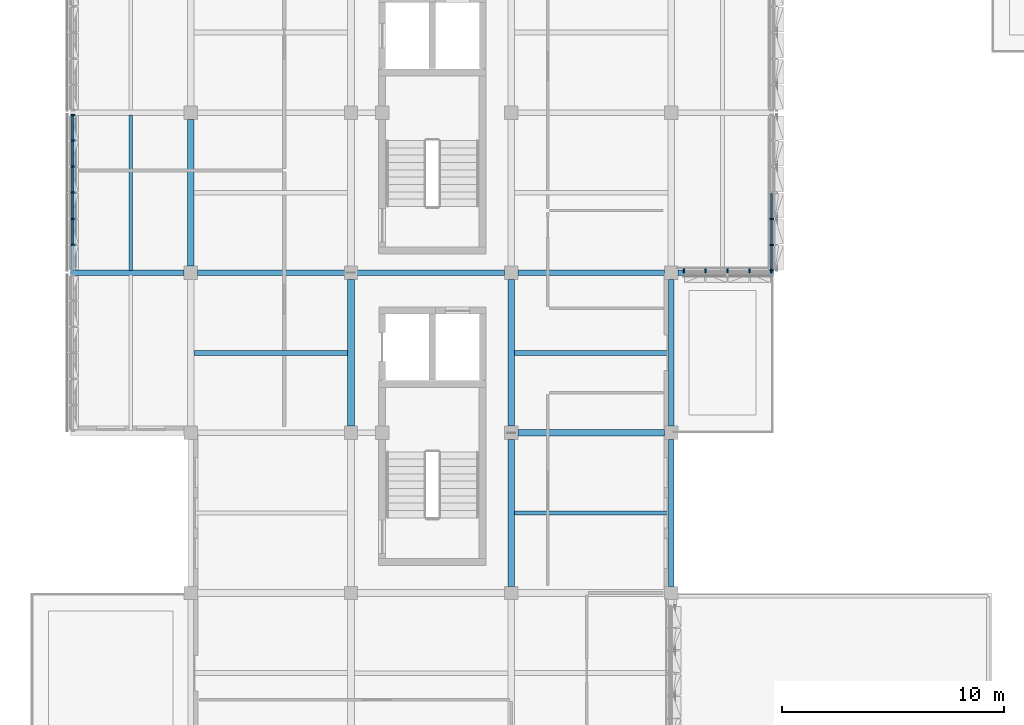
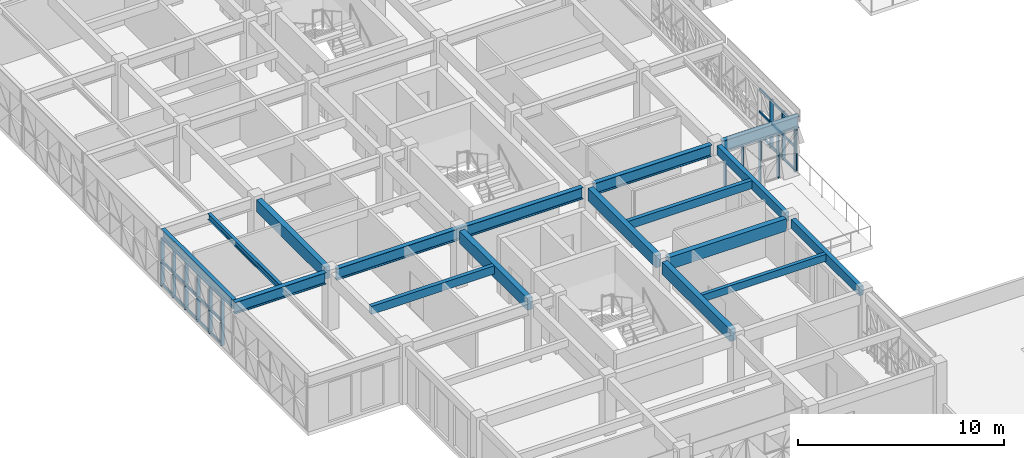
# One storey, part 3 of 74: 38 members, 16 beams, 3 elements without a shape of their own.
"""IFC4 building model written with IfcOpenShell, lengths in metres."""

from ifc_helpers import new_model, si_unit, direction, frame, origin, origin_2d, place, context, subcontext, project, spatial, rectangle, i_section, extrude, material, material_profile, profile_set, type_object, element, aggregate, save


model = new_model("IFC4")

# Units and contexts
model_context = context("Model", 3, precision=1e-05, world=origin(), true_north=direction((0.0, 1.0)))
body_context = subcontext(model_context, "Body", "Model", "MODEL_VIEW")
ifc_project = project(units=[si_unit("LENGTHUNIT", "METRE"), si_unit("AREAUNIT", "SQUARE_METRE"), si_unit("VOLUMEUNIT", "CUBIC_METRE"), si_unit("PLANEANGLEUNIT", "RADIAN"), si_unit("MASSUNIT", "GRAM", prefix="KILO")], contexts=[model_context])

# Site, building, storey
site_placement = place(None, origin())
site = spatial("IfcSite", under=ifc_project, at=site_placement, CompositionType="ELEMENT")
building_placement = place(site_placement, origin())
building = spatial("IfcBuilding", under=site, at=building_placement, Name="Alvorim Cloister Faculty of Sciences", CompositionType="ELEMENT")
storey_placement = place(building_placement, frame((0.0, 0.0, 15.75)))
storey = spatial("IfcBuildingStorey", under=building, at=storey_placement, Name="L04", CompositionType="ELEMENT", Elevation=15.75)

# Beams
ifc_material_1 = material(Name="Glulam GL32h", Category="wood")
ifc_material_profile_1 = material_profile(ifc_material_1, rectangle(XDim=0.300048828125, YDim=0.719970703125, at=origin_2d()), Name="GL32-BM-300x720")
ifc_profile_set_1 = profile_set([ifc_material_profile_1], Name="Glulam GL32h")
beam_type_1 = type_object("IfcBeamType", Name="BM-GL-300x720", PredefinedType="BEAM", material=ifc_profile_set_1)
beam_1_placement = place(storey_placement, frame((21.89990234375, 21.60009765625, 3.030029296875), z_axis=(1.0, 0.0, 0.0), x_axis=(0.0, 1.0, 0.0)))
element("IfcBeam", 1, at=beam_1_placement, inside=storey, type_object=beam_type_1, Name="L04 Primary Beam BM-1744", PredefinedType="BEAM", context=body_context, shape_type="SweptSolid", body=[
    extrude(rectangle(XDim=0.300048828125, YDim=0.719970703125, at=origin_2d()), origin(), (0.0, 0.0, 1.0), 6.60009765625),
])
beam_2_placement = place(storey_placement, frame((7.199951171875, 29.10009765625, 3.030029296875), z_axis=(0.0, 1.0, 0.0), x_axis=(-1.0, 0.0, 0.0)))
element("IfcBeam", 2, at=beam_2_placement, inside=storey, type_object=beam_type_1, Name="L04 Primary Girder BM-1806", PredefinedType="BEAM", context=body_context, shape_type="SweptSolid", body=[
    extrude(rectangle(XDim=0.300048828125, YDim=0.719970703125, at=origin_2d()), origin(), (0.0, 0.0, 1.0), 6.599853515625),
])
for number, where, z_axis, x_axis, name in (
    (3, (14.39990234375, 21.89990234375, 3.030029296875), (0.0, 1.0, 0.0), (-1.0, 0.0, 0.0), "L04 Primary Girder BM-1820"),
    (4, (21.60009765625, 14.699951171875, 3.030029296875), (0.0, 1.0, 0.0), (-1.0, 0.0, 0.0), "L04 Primary Girder BM-1834"),
    (5, (21.60009765625, 21.89990234375, 3.030029296875), (0.0, 1.0, 0.0), (-1.0, 0.0, 0.0), "L04 Primary Girder BM-1835"),
):
    element("IfcBeam", number, at=place(storey_placement, frame(where, z_axis=z_axis, x_axis=x_axis)), inside=storey, type_object=beam_type_1, Name=name, PredefinedType="BEAM", context=body_context, shape_type="SweptSolid", body=[
        extrude(rectangle(XDim=0.300048828125, YDim=0.719970703125, at=origin_2d()), origin(), (0.0, 0.0, 1.0), 6.60009765625),
    ])
ifc_material_2 = material(Name="Glulam GL28h", Category="wood")
ifc_material_profile_2 = material_profile(ifc_material_2, rectangle(XDim=0.199951171875, YDim=0.419921875, at=origin_2d()), Name="GL28-JST-200x420")
ifc_profile_set_2 = profile_set([ifc_material_profile_2], Name="Glulam GL28h")
beam_type_2 = type_object("IfcBeamType", Name="BM-JST-GL-200x420", PredefinedType="JOIST", material=ifc_profile_set_2)
beam_3_placement = place(storey_placement, frame((21.75, 18.0, 3.179931640625), z_axis=(1.0, 0.0, 0.0), x_axis=(0.0, 1.0, 0.0)))
element("IfcBeam", 6, at=beam_3_placement, inside=storey, type_object=beam_type_2, Name="L04 Secondary Floor Joist BM-1924", PredefinedType="JOIST", context=body_context, shape_type="SweptSolid", body=[
    extrude(rectangle(XDim=0.199951171875, YDim=0.419921875, at=origin_2d()), origin(), (0.0, 0.0, 1.0), 6.929931640625),
])
ifc_material_profile_3 = material_profile(ifc_material_2, rectangle(XDim=0.219970703125, YDim=0.47998046875, at=origin_2d()), Name="GL28-JST-220x480")
ifc_profile_set_3 = profile_set([ifc_material_profile_3], Name="Glulam GL28h")
beam_type_3 = type_object("IfcBeamType", Name="BM-JST-GL-220x480", PredefinedType="JOIST", material=ifc_profile_set_3)
beam_4_placement = place(storey_placement, frame((7.35009765625, 25.199951171875, 3.14990234375), z_axis=(1.0, 0.0, 0.0), x_axis=(0.0, 1.0, 0.0)))
element("IfcBeam", 7, at=beam_4_placement, inside=storey, type_object=beam_type_3, Name="L04 Secondary Floor Joist BM-1901", PredefinedType="JOIST", context=body_context, shape_type="SweptSolid", body=[
    extrude(rectangle(XDim=0.219970703125, YDim=0.47998046875, at=origin_2d()), origin(), (0.0, 0.0, 1.0), 6.89990234375),
])
beam_5_placement = place(storey_placement, frame((21.75, 25.199951171875, 3.14990234375), z_axis=(1.0, 0.0, 0.0), x_axis=(0.0, 1.0, 0.0)))
element("IfcBeam", 8, at=beam_5_placement, inside=storey, type_object=beam_type_3, Name="L04 Secondary Floor Joist BM-1925", PredefinedType="JOIST", context=body_context, shape_type="SweptSolid", body=[
    extrude(rectangle(XDim=0.219970703125, YDim=0.47998046875, at=origin_2d()), origin(), (0.0, 0.0, 1.0), 6.929931640625),
])
ifc_material_profile_4 = material_profile(ifc_material_2, rectangle(XDim=0.239990234375, YDim=0.5400390625, at=origin_2d()), Name="GL28-SPD-240x540")
ifc_profile_set_4 = profile_set([ifc_material_profile_4], Name="Glulam GL28h")
beam_type_4 = type_object("IfcBeamType", Name="BM-SPD-GL-240x540", PredefinedType="SPANDREL", material=ifc_profile_set_4)
for number, where, z_axis, x_axis, name in (
    (9, (28.800048828125, 14.699951171875, 3.1201171875), (0.0, 1.0, 0.0), (-1.0, 0.0, 0.0), "L04 Primary Girder BM-1849"),
    (10, (28.800048828125, 21.89990234375, 3.1201171875), (0.0, 1.0, 0.0), (-1.0, 0.0, 0.0), "L04 Primary Girder BM-1850"),
):
    element("IfcBeam", number, at=place(storey_placement, frame(where, z_axis=z_axis, x_axis=x_axis)), inside=storey, type_object=beam_type_4, Name=name, PredefinedType="SPANDREL", context=body_context, shape_type="SweptSolid", body=[
        extrude(rectangle(XDim=0.239990234375, YDim=0.5400390625, at=origin_2d()), origin(), (0.0, 0.0, 1.0), 6.60009765625),
    ])
ifc_material_3 = material(Name="Steel ASTM A572 Grade 50", Category="steel")
ifc_material_profile_5 = material_profile(ifc_material_3, i_section(OverallWidth=0.1708984375, OverallDepth=0.35498046875, WebThickness=0.007080078125, FlangeThickness=0.01171875, FilletRadius=0.012939453125, at=origin_2d()), Name="W360x51.0")
ifc_profile_set_5 = profile_set([ifc_material_profile_5], Name="Steel ASTM A572 Grade 50")
beam_type_5 = type_object("IfcBeamType", Name="BM-STL-W360", PredefinedType="JOIST", material=ifc_profile_set_5)
beam_6_placement = place(storey_placement, frame((4.5, 28.909912109375, 3.21240234375), z_axis=(0.0, 1.0, 0.0), x_axis=(-1.0, 0.0, 0.0)))
element("IfcBeam", 11, at=beam_6_placement, inside=storey, type_object=beam_type_5, Name="L04 Cantilever Deck Joist BM-0098", PredefinedType="JOIST", context=body_context, shape_type="SweptSolid", body=[
    extrude(i_section(OverallWidth=0.1708984375, OverallDepth=0.35498046875, WebThickness=0.007080078125, FlangeThickness=0.01171875, FilletRadius=0.012939453125, at=origin_2d()), origin(), (0.0, 0.0, 1.0), 6.97998046875),
])
ifc_material_profile_6 = material_profile(ifc_material_3, i_section(OverallWidth=0.208984375, OverallDepth=0.532958984375, WebThickness=0.01025390625, FlangeThickness=0.015625, FilletRadius=0.01611328125, at=origin_2d()), Name="W530x92.0")
ifc_profile_set_6 = profile_set([ifc_material_profile_6], Name="Steel ASTM A572 Grade 50")
beam_type_6 = type_object("IfcBeamType", Name="BM-STL-W530", PredefinedType="BEAM", material=ifc_profile_set_6)
beam_7_placement = place(storey_placement, frame((1.919921875, 28.909912109375, 3.12353515625), z_axis=(0.0, 1.0, 0.0), x_axis=(-1.0, 0.0, 0.0)))
element("IfcBeam", 12, at=beam_7_placement, inside=storey, type_object=beam_type_6, Name="L04 Cantilever Tip Header Girder BM-0097", PredefinedType="BEAM", context=body_context, shape_type="SweptSolid", body=[
    extrude(i_section(OverallWidth=0.208984375, OverallDepth=0.532958984375, WebThickness=0.01025390625, FlangeThickness=0.015625, FilletRadius=0.01611328125, at=origin_2d()), origin(), (0.0, 0.0, 1.0), 6.97998046875),
])
ifc_material_profile_7 = material_profile(ifc_material_3, i_section(OverallWidth=0.25390625, OverallDepth=0.68408203125, WebThickness=0.012451171875, FlangeThickness=0.01904296875, FilletRadius=0.01904296875, at=origin_2d()), Name="W690x140.0")
ifc_profile_set_7 = profile_set([ifc_material_profile_7], Name="Steel ASTM A572 Grade 50")
beam_type_7 = type_object("IfcBeamType", Name="BM-STL-W690", PredefinedType="BEAM", material=ifc_profile_set_7)
beam_8_placement = place(storey_placement, frame((7.5, 28.800048828125, 3.048095703125), z_axis=(1.0, 0.0, 0.0), x_axis=(0.0, 1.0, 0.0)))
element("IfcBeam", 13, at=beam_8_placement, inside=storey, type_object=beam_type_7, Name="L04 Cantilever Backspan Girder BM-0085", PredefinedType="BEAM", context=body_context, shape_type="SweptSolid", body=[
    extrude(i_section(OverallWidth=0.25390625, OverallDepth=0.68408203125, WebThickness=0.012451171875, FlangeThickness=0.01904296875, FilletRadius=0.01904296875, at=origin_2d()), origin(), (0.0, 0.0, 1.0), 13.800048828125),
])
beam_9_placement = place(storey_placement, frame((1.800048828125, 28.800048828125, 3.048095703125), z_axis=(1.0, 0.0, 0.0), x_axis=(0.0, 1.0, 0.0)))
element("IfcBeam", 14, at=beam_9_placement, inside=storey, type_object=beam_type_7, Name="L04 Cantilever Overhang Girder BM-0086", PredefinedType="BEAM", context=body_context, shape_type="SweptSolid", body=[
    extrude(i_section(OverallWidth=0.25390625, OverallDepth=0.68408203125, WebThickness=0.012451171875, FlangeThickness=0.01904296875, FilletRadius=0.01904296875, at=origin_2d()), origin(), (0.0, 0.0, 1.0), 5.099853515625),
])
beam_10_placement = place(storey_placement, frame((21.89990234375, 28.800048828125, 3.048095703125), z_axis=(1.0, 0.0, 0.0), x_axis=(0.0, 1.0, 0.0)))
element("IfcBeam", 15, at=beam_10_placement, inside=storey, type_object=beam_type_7, Name="L04 Cantilever Backspan Girder BM-0131", PredefinedType="BEAM", context=body_context, shape_type="SweptSolid", body=[
    extrude(i_section(OverallWidth=0.25390625, OverallDepth=0.68408203125, WebThickness=0.012451171875, FlangeThickness=0.01904296875, FilletRadius=0.01904296875, at=origin_2d()), origin(), (0.0, 0.0, 1.0), 6.60009765625),
])
beam_11_placement = place(storey_placement, frame((29.10009765625, 28.800048828125, 3.048095703125), z_axis=(1.0, 0.0, 0.0), x_axis=(0.0, 1.0, 0.0)))
element("IfcBeam", 16, at=beam_11_placement, inside=storey, type_object=beam_type_7, Name="L04 Cantilever Overhang Girder BM-0132", PredefinedType="BEAM", context=body_context, shape_type="SweptSolid", body=[
    extrude(i_section(OverallWidth=0.25390625, OverallDepth=0.68408203125, WebThickness=0.012451171875, FlangeThickness=0.01904296875, FilletRadius=0.01904296875, at=origin_2d()), origin(), (0.0, 0.0, 1.0), 4.2998046875),
])

# Curtain wall, members
ifc_material_4 = material(Name="Aluminium and Low-E Glass Curtain Wall", Category="aluminium")
curtain_wall_type_1 = type_object("IfcCurtainWallType", Name="CW-TRI-7040x2857", PredefinedType="USERDEFINED", material=ifc_material_4)
curtain_wall_1_placement = place(storey_placement, origin())
curtain_wall_1 = element("IfcCurtainWall", 17, at=curtain_wall_1_placement, inside=storey, type_object=curtain_wall_type_1, Name="L04 Diagonal Cassette Curtain Wall CW-0166", ObjectType="UNITISED CURTAIN WALL", PredefinedType="USERDEFINED")
ifc_material_5 = material(Name="Aluminium Alloy 6063-T6", Category="aluminium")
ifc_material_profile_8 = material_profile(ifc_material_5, rectangle(XDim=0.06494140625, YDim=0.179931640625, at=origin_2d()), Name="ALU-MUL-65x180")
ifc_profile_set_8 = profile_set([ifc_material_profile_8], Name="Aluminium Alloy 6063-T6")
member_type_1 = type_object("IfcMemberType", Name="CW-MUL-65x180", PredefinedType="MULLION", material=ifc_profile_set_8)
member_1_placement = place(storey_placement, frame((1.889892578125, 30.05322265625, 0.0), z_axis=(0.0, 0.0, 1.0), x_axis=(0.0, 1.0, 0.0)))
member_1 = element("IfcMember", 18, at=member_1_placement, type_object=member_type_1, Name="CW-0166 Mullion 2", PredefinedType="MULLION", context=body_context, shape_type="SweptSolid", body=[
    extrude(rectangle(XDim=0.06494140625, YDim=0.179931640625, at=origin_2d()), origin(), (0.0, 0.0, 1.0), 2.85693359375),
])
member_2_placement = place(storey_placement, frame((1.889892578125, 31.226806640625, 0.0), z_axis=(0.0, 0.0, 1.0), x_axis=(0.0, 1.0, 0.0)))
member_2 = element("IfcMember", 19, at=member_2_placement, type_object=member_type_1, Name="CW-0166 Mullion 3", PredefinedType="MULLION", context=body_context, shape_type="SweptSolid", body=[
    extrude(rectangle(XDim=0.06494140625, YDim=0.179931640625, at=origin_2d()), origin(), (0.0, 0.0, 1.0), 2.85693359375),
])
member_3_placement = place(storey_placement, frame((1.889892578125, 32.39990234375, 0.0), z_axis=(0.0, 0.0, 1.0), x_axis=(0.0, 1.0, 0.0)))
member_3 = element("IfcMember", 20, at=member_3_placement, type_object=member_type_1, Name="CW-0166 Mullion 4", PredefinedType="MULLION", context=body_context, shape_type="SweptSolid", body=[
    extrude(rectangle(XDim=0.06494140625, YDim=0.179931640625, at=origin_2d()), origin(), (0.0, 0.0, 1.0), 2.85693359375),
])
member_4_placement = place(storey_placement, frame((1.889892578125, 33.5732421875, 0.0), z_axis=(0.0, 0.0, 1.0), x_axis=(0.0, 1.0, 0.0)))
member_4 = element("IfcMember", 21, at=member_4_placement, type_object=member_type_1, Name="CW-0166 Mullion 5", PredefinedType="MULLION", context=body_context, shape_type="SweptSolid", body=[
    extrude(rectangle(XDim=0.06494140625, YDim=0.179931640625, at=origin_2d()), origin(), (0.0, 0.0, 1.0), 2.85693359375),
])
member_5_placement = place(storey_placement, frame((1.889892578125, 34.74658203125, 0.0), z_axis=(0.0, 0.0, 1.0), x_axis=(0.0, 1.0, 0.0)))
member_5 = element("IfcMember", 22, at=member_5_placement, type_object=member_type_1, Name="CW-0166 Mullion 6", PredefinedType="MULLION", context=body_context, shape_type="SweptSolid", body=[
    extrude(rectangle(XDim=0.06494140625, YDim=0.179931640625, at=origin_2d()), origin(), (0.0, 0.0, 1.0), 2.85693359375),
])
member_6_placement = place(storey_placement, frame((1.889892578125, 35.887451171875, 0.0), z_axis=(0.0, 0.0, 1.0), x_axis=(0.0, 1.0, 0.0)))
member_6 = element("IfcMember", 23, at=member_6_placement, type_object=member_type_1, Name="CW-0166 Mullion 7", PredefinedType="MULLION", context=body_context, shape_type="SweptSolid", body=[
    extrude(rectangle(XDim=0.06494140625, YDim=0.179931640625, at=origin_2d()), origin(), (0.0, 0.0, 1.0), 2.85693359375),
])

curtain_wall_2_placement = place(storey_placement, origin())
curtain_wall_2 = element("IfcCurtainWall", 24, at=curtain_wall_2_placement, inside=storey, type_object=curtain_wall_type_1, Name="L04 Diagonal Cassette Curtain Wall CW-0198", ObjectType="UNITISED CURTAIN WALL", PredefinedType="USERDEFINED")
member_7_placement = place(storey_placement, frame((33.31005859375, 28.91259765625, 0.0), z_axis=(0.0, 0.0, 1.0), x_axis=(0.0, 1.0, 0.0)))
member_7 = element("IfcMember", 25, at=member_7_placement, type_object=member_type_1, Name="CW-0198 Mullion 1", PredefinedType="MULLION", context=body_context, shape_type="SweptSolid", body=[
    extrude(rectangle(XDim=0.06494140625, YDim=0.179931640625, at=origin_2d()), origin(), (0.0, 0.0, 1.0), 2.85693359375),
])
member_8_placement = place(storey_placement, frame((33.31005859375, 30.05322265625, 0.0), z_axis=(0.0, 0.0, 1.0), x_axis=(0.0, 1.0, 0.0)))
member_8 = element("IfcMember", 26, at=member_8_placement, type_object=member_type_1, Name="CW-0198 Mullion 2", PredefinedType="MULLION", context=body_context, shape_type="SweptSolid", body=[
    extrude(rectangle(XDim=0.06494140625, YDim=0.179931640625, at=origin_2d()), origin(), (0.0, 0.0, 1.0), 2.85693359375),
])
member_9_placement = place(storey_placement, frame((33.31005859375, 31.226806640625, 0.0), z_axis=(0.0, 0.0, 1.0), x_axis=(0.0, 1.0, 0.0)))
member_9 = element("IfcMember", 27, at=member_9_placement, type_object=member_type_1, Name="CW-0198 Mullion 3", PredefinedType="MULLION", context=body_context, shape_type="SweptSolid", body=[
    extrude(rectangle(XDim=0.06494140625, YDim=0.179931640625, at=origin_2d()), origin(), (0.0, 0.0, 1.0), 2.85693359375),
])

curtain_wall_type_2 = type_object("IfcCurtainWallType", Name="CW-TRI-3980x2706", PredefinedType="USERDEFINED", material=ifc_material_4)
curtain_wall_3_placement = place(storey_placement, origin())
curtain_wall_3 = element("IfcCurtainWall", 28, at=curtain_wall_3_placement, inside=storey, type_object=curtain_wall_type_2, Name="L04 Diagonal Cassette Curtain Wall CW-0199", ObjectType="UNITISED CURTAIN WALL", PredefinedType="USERDEFINED")
member_10_placement = place(storey_placement, frame((29.37255859375, 28.889892578125, 0.0), z_axis=(0.0, 0.0, 1.0), x_axis=(1.0, 0.0, 0.0)))
member_10 = element("IfcMember", 29, at=member_10_placement, type_object=member_type_1, Name="CW-0199 Mullion 1", PredefinedType="MULLION", context=body_context, shape_type="SweptSolid", body=[
    extrude(rectangle(XDim=0.06494140625, YDim=0.179931640625, at=origin_2d()), origin(), (0.0, 0.0, 1.0), 2.7060546875),
])
member_11_placement = place(storey_placement, frame((30.3349609375, 28.889892578125, 0.0), z_axis=(0.0, 0.0, 1.0), x_axis=(1.0, 0.0, 0.0)))
member_11 = element("IfcMember", 30, at=member_11_placement, type_object=member_type_1, Name="CW-0199 Mullion 2", PredefinedType="MULLION", context=body_context, shape_type="SweptSolid", body=[
    extrude(rectangle(XDim=0.06494140625, YDim=0.179931640625, at=origin_2d()), origin(), (0.0, 0.0, 1.0), 2.7060546875),
])
member_12_placement = place(storey_placement, frame((31.330078125, 28.889892578125, 0.0), z_axis=(0.0, 0.0, 1.0), x_axis=(1.0, 0.0, 0.0)))
member_12 = element("IfcMember", 31, at=member_12_placement, type_object=member_type_1, Name="CW-0199 Mullion 3", PredefinedType="MULLION", context=body_context, shape_type="SweptSolid", body=[
    extrude(rectangle(XDim=0.06494140625, YDim=0.179931640625, at=origin_2d()), origin(), (0.0, 0.0, 1.0), 2.7060546875),
])
member_13_placement = place(storey_placement, frame((32.324951171875, 28.889892578125, 0.0), z_axis=(0.0, 0.0, 1.0), x_axis=(1.0, 0.0, 0.0)))
member_13 = element("IfcMember", 32, at=member_13_placement, type_object=member_type_1, Name="CW-0199 Mullion 4", PredefinedType="MULLION", context=body_context, shape_type="SweptSolid", body=[
    extrude(rectangle(XDim=0.06494140625, YDim=0.179931640625, at=origin_2d()), origin(), (0.0, 0.0, 1.0), 2.7060546875),
])
member_14_placement = place(storey_placement, frame((33.28759765625, 28.889892578125, 0.0), z_axis=(0.0, 0.0, 1.0), x_axis=(1.0, 0.0, 0.0)))
member_14 = element("IfcMember", 33, at=member_14_placement, type_object=member_type_1, Name="CW-0199 Mullion 5", PredefinedType="MULLION", context=body_context, shape_type="SweptSolid", body=[
    extrude(rectangle(XDim=0.06494140625, YDim=0.179931640625, at=origin_2d()), origin(), (0.0, 0.0, 1.0), 2.7060546875),
])
aggregate(curtain_wall_3, [member_10, member_11, member_12, member_13, member_14])

# Member
ifc_material_profile_9 = material_profile(ifc_material_5, rectangle(XDim=0.06494140625, YDim=0.139892578125, at=origin_2d()), Name="ALU-TRN-65x140")
ifc_profile_set_9 = profile_set([ifc_material_profile_9], Name="Aluminium Alloy 6063-T6")
member_type_2 = type_object("IfcMemberType", Name="CW-TRN-65x140", PredefinedType="USERDEFINED", material=ifc_profile_set_9)
member_15_placement = place(storey_placement, frame((1.889892578125, 30.0859375, 0.070068359375), z_axis=(0.0, 1.0, 0.0), x_axis=(-1.0, 0.0, 0.0)))
member_15 = element("IfcMember", 34, at=member_15_placement, type_object=member_type_2, Name="CW-0166 Transom 2.1", ObjectType="TRANSOM", PredefinedType="USERDEFINED", context=body_context, shape_type="SweptSolid", body=[
    extrude(rectangle(XDim=0.06494140625, YDim=0.139892578125, at=origin_2d()), origin(), (0.0, 0.0, 1.0), 1.108154296875),
])

member_16_placement = place(storey_placement, frame((1.889892578125, 30.0859375, 1.428466796875), z_axis=(0.0, 1.0, 0.0), x_axis=(-1.0, 0.0, 0.0)))
member_16 = element("IfcMember", 35, at=member_16_placement, type_object=member_type_2, Name="CW-0166 Transom 2.2", ObjectType="TRANSOM", PredefinedType="USERDEFINED", context=body_context, shape_type="SweptSolid", body=[
    extrude(rectangle(XDim=0.06494140625, YDim=0.139892578125, at=origin_2d()), origin(), (0.0, 0.0, 1.0), 1.108154296875),
])

member_17_placement = place(storey_placement, frame((1.889892578125, 30.0859375, 2.787109375), z_axis=(0.0, 1.0, 0.0), x_axis=(-1.0, 0.0, 0.0)))
member_17 = element("IfcMember", 36, at=member_17_placement, type_object=member_type_2, Name="CW-0166 Transom 2.3", ObjectType="TRANSOM", PredefinedType="USERDEFINED", context=body_context, shape_type="SweptSolid", body=[
    extrude(rectangle(XDim=0.06494140625, YDim=0.139892578125, at=origin_2d()), origin(), (0.0, 0.0, 1.0), 1.108154296875),
])

member_18_placement = place(storey_placement, frame((1.889892578125, 31.25927734375, 0.070068359375), z_axis=(0.0, 1.0, 0.0), x_axis=(-1.0, 0.0, 0.0)))
member_18 = element("IfcMember", 37, at=member_18_placement, type_object=member_type_2, Name="CW-0166 Transom 3.1", ObjectType="TRANSOM", PredefinedType="USERDEFINED", context=body_context, shape_type="SweptSolid", body=[
    extrude(rectangle(XDim=0.06494140625, YDim=0.139892578125, at=origin_2d()), origin(), (0.0, 0.0, 1.0), 1.108154296875),
])

member_19_placement = place(storey_placement, frame((1.889892578125, 31.25927734375, 1.428466796875), z_axis=(0.0, 1.0, 0.0), x_axis=(-1.0, 0.0, 0.0)))
member_19 = element("IfcMember", 38, at=member_19_placement, type_object=member_type_2, Name="CW-0166 Transom 3.2", ObjectType="TRANSOM", PredefinedType="USERDEFINED", context=body_context, shape_type="SweptSolid", body=[
    extrude(rectangle(XDim=0.06494140625, YDim=0.139892578125, at=origin_2d()), origin(), (0.0, 0.0, 1.0), 1.108154296875),
])

member_20_placement = place(storey_placement, frame((1.889892578125, 31.25927734375, 2.787109375), z_axis=(0.0, 1.0, 0.0), x_axis=(-1.0, 0.0, 0.0)))
member_20 = element("IfcMember", 39, at=member_20_placement, type_object=member_type_2, Name="CW-0166 Transom 3.3", ObjectType="TRANSOM", PredefinedType="USERDEFINED", context=body_context, shape_type="SweptSolid", body=[
    extrude(rectangle(XDim=0.06494140625, YDim=0.139892578125, at=origin_2d()), origin(), (0.0, 0.0, 1.0), 1.108154296875),
])

member_21_placement = place(storey_placement, frame((1.889892578125, 32.4326171875, 0.070068359375), z_axis=(0.0, 1.0, 0.0), x_axis=(-1.0, 0.0, 0.0)))
member_21 = element("IfcMember", 40, at=member_21_placement, type_object=member_type_2, Name="CW-0166 Transom 4.1", ObjectType="TRANSOM", PredefinedType="USERDEFINED", context=body_context, shape_type="SweptSolid", body=[
    extrude(rectangle(XDim=0.06494140625, YDim=0.139892578125, at=origin_2d()), origin(), (0.0, 0.0, 1.0), 1.108154296875),
])

member_22_placement = place(storey_placement, frame((1.889892578125, 32.4326171875, 1.428466796875), z_axis=(0.0, 1.0, 0.0), x_axis=(-1.0, 0.0, 0.0)))
member_22 = element("IfcMember", 41, at=member_22_placement, type_object=member_type_2, Name="CW-0166 Transom 4.2", ObjectType="TRANSOM", PredefinedType="USERDEFINED", context=body_context, shape_type="SweptSolid", body=[
    extrude(rectangle(XDim=0.06494140625, YDim=0.139892578125, at=origin_2d()), origin(), (0.0, 0.0, 1.0), 1.108154296875),
])

member_23_placement = place(storey_placement, frame((1.889892578125, 32.4326171875, 2.787109375), z_axis=(0.0, 1.0, 0.0), x_axis=(-1.0, 0.0, 0.0)))
member_23 = element("IfcMember", 42, at=member_23_placement, type_object=member_type_2, Name="CW-0166 Transom 4.3", ObjectType="TRANSOM", PredefinedType="USERDEFINED", context=body_context, shape_type="SweptSolid", body=[
    extrude(rectangle(XDim=0.06494140625, YDim=0.139892578125, at=origin_2d()), origin(), (0.0, 0.0, 1.0), 1.108154296875),
])

member_24_placement = place(storey_placement, frame((1.889892578125, 33.605712890625, 0.070068359375), z_axis=(0.0, 1.0, 0.0), x_axis=(-1.0, 0.0, 0.0)))
member_24 = element("IfcMember", 43, at=member_24_placement, type_object=member_type_2, Name="CW-0166 Transom 5.1", ObjectType="TRANSOM", PredefinedType="USERDEFINED", context=body_context, shape_type="SweptSolid", body=[
    extrude(rectangle(XDim=0.06494140625, YDim=0.139892578125, at=origin_2d()), origin(), (0.0, 0.0, 1.0), 1.1083984375),
])

member_25_placement = place(storey_placement, frame((1.889892578125, 33.605712890625, 1.428466796875), z_axis=(0.0, 1.0, 0.0), x_axis=(-1.0, 0.0, 0.0)))
member_25 = element("IfcMember", 44, at=member_25_placement, type_object=member_type_2, Name="CW-0166 Transom 5.2", ObjectType="TRANSOM", PredefinedType="USERDEFINED", context=body_context, shape_type="SweptSolid", body=[
    extrude(rectangle(XDim=0.06494140625, YDim=0.139892578125, at=origin_2d()), origin(), (0.0, 0.0, 1.0), 1.1083984375),
])

member_26_placement = place(storey_placement, frame((1.889892578125, 33.605712890625, 2.787109375), z_axis=(0.0, 1.0, 0.0), x_axis=(-1.0, 0.0, 0.0)))
member_26 = element("IfcMember", 45, at=member_26_placement, type_object=member_type_2, Name="CW-0166 Transom 5.3", ObjectType="TRANSOM", PredefinedType="USERDEFINED", context=body_context, shape_type="SweptSolid", body=[
    extrude(rectangle(XDim=0.06494140625, YDim=0.139892578125, at=origin_2d()), origin(), (0.0, 0.0, 1.0), 1.1083984375),
])

member_27_placement = place(storey_placement, frame((1.889892578125, 34.779052734375, 0.070068359375), z_axis=(0.0, 1.0, 0.0), x_axis=(-1.0, 0.0, 0.0)))
member_27 = element("IfcMember", 46, at=member_27_placement, type_object=member_type_2, Name="CW-0166 Transom 6.1", ObjectType="TRANSOM", PredefinedType="USERDEFINED", context=body_context, shape_type="SweptSolid", body=[
    extrude(rectangle(XDim=0.06494140625, YDim=0.139892578125, at=origin_2d()), origin(), (0.0, 0.0, 1.0), 1.075927734375),
])

member_28_placement = place(storey_placement, frame((1.889892578125, 34.779052734375, 1.428466796875), z_axis=(0.0, 1.0, 0.0), x_axis=(-1.0, 0.0, 0.0)))
member_28 = element("IfcMember", 47, at=member_28_placement, type_object=member_type_2, Name="CW-0166 Transom 6.2", ObjectType="TRANSOM", PredefinedType="USERDEFINED", context=body_context, shape_type="SweptSolid", body=[
    extrude(rectangle(XDim=0.06494140625, YDim=0.139892578125, at=origin_2d()), origin(), (0.0, 0.0, 1.0), 1.075927734375),
])

member_29_placement = place(storey_placement, frame((1.889892578125, 34.779052734375, 2.787109375), z_axis=(0.0, 1.0, 0.0), x_axis=(-1.0, 0.0, 0.0)))
member_29 = element("IfcMember", 48, at=member_29_placement, type_object=member_type_2, Name="CW-0166 Transom 6.3", ObjectType="TRANSOM", PredefinedType="USERDEFINED", context=body_context, shape_type="SweptSolid", body=[
    extrude(rectangle(XDim=0.06494140625, YDim=0.139892578125, at=origin_2d()), origin(), (0.0, 0.0, 1.0), 1.075927734375),
])

aggregate(curtain_wall_1, [member_1, member_2, member_3, member_4, member_5, member_6, member_15, member_16, member_17, member_18, member_19, member_20, member_21, member_22, member_23, member_24, member_25, member_26, member_27, member_28, member_29])

member_30_placement = place(storey_placement, frame((33.31005859375, 28.945068359375, 0.070068359375), z_axis=(0.0, 1.0, 0.0), x_axis=(-1.0, 0.0, 0.0)))
member_30 = element("IfcMember", 49, at=member_30_placement, type_object=member_type_2, Name="CW-0198 Transom 1.1", ObjectType="TRANSOM", PredefinedType="USERDEFINED", context=body_context, shape_type="SweptSolid", body=[
    extrude(rectangle(XDim=0.06494140625, YDim=0.139892578125, at=origin_2d()), origin(), (0.0, 0.0, 1.0), 1.07568359375),
])

member_31_placement = place(storey_placement, frame((33.31005859375, 28.945068359375, 1.428466796875), z_axis=(0.0, 1.0, 0.0), x_axis=(-1.0, 0.0, 0.0)))
member_31 = element("IfcMember", 50, at=member_31_placement, type_object=member_type_2, Name="CW-0198 Transom 1.2", ObjectType="TRANSOM", PredefinedType="USERDEFINED", context=body_context, shape_type="SweptSolid", body=[
    extrude(rectangle(XDim=0.06494140625, YDim=0.139892578125, at=origin_2d()), origin(), (0.0, 0.0, 1.0), 1.07568359375),
])

member_32_placement = place(storey_placement, frame((33.31005859375, 28.945068359375, 2.787109375), z_axis=(0.0, 1.0, 0.0), x_axis=(-1.0, 0.0, 0.0)))
member_32 = element("IfcMember", 51, at=member_32_placement, type_object=member_type_2, Name="CW-0198 Transom 1.3", ObjectType="TRANSOM", PredefinedType="USERDEFINED", context=body_context, shape_type="SweptSolid", body=[
    extrude(rectangle(XDim=0.06494140625, YDim=0.139892578125, at=origin_2d()), origin(), (0.0, 0.0, 1.0), 1.07568359375),
])

member_33_placement = place(storey_placement, frame((33.31005859375, 30.0859375, 0.070068359375), z_axis=(0.0, 1.0, 0.0), x_axis=(-1.0, 0.0, 0.0)))
member_33 = element("IfcMember", 52, at=member_33_placement, type_object=member_type_2, Name="CW-0198 Transom 2.1", ObjectType="TRANSOM", PredefinedType="USERDEFINED", context=body_context, shape_type="SweptSolid", body=[
    extrude(rectangle(XDim=0.06494140625, YDim=0.139892578125, at=origin_2d()), origin(), (0.0, 0.0, 1.0), 1.108154296875),
])

member_34_placement = place(storey_placement, frame((33.31005859375, 30.0859375, 1.428466796875), z_axis=(0.0, 1.0, 0.0), x_axis=(-1.0, 0.0, 0.0)))
member_34 = element("IfcMember", 53, at=member_34_placement, type_object=member_type_2, Name="CW-0198 Transom 2.2", ObjectType="TRANSOM", PredefinedType="USERDEFINED", context=body_context, shape_type="SweptSolid", body=[
    extrude(rectangle(XDim=0.06494140625, YDim=0.139892578125, at=origin_2d()), origin(), (0.0, 0.0, 1.0), 1.108154296875),
])

member_35_placement = place(storey_placement, frame((33.31005859375, 30.0859375, 2.787109375), z_axis=(0.0, 1.0, 0.0), x_axis=(-1.0, 0.0, 0.0)))
member_35 = element("IfcMember", 54, at=member_35_placement, type_object=member_type_2, Name="CW-0198 Transom 2.3", ObjectType="TRANSOM", PredefinedType="USERDEFINED", context=body_context, shape_type="SweptSolid", body=[
    extrude(rectangle(XDim=0.06494140625, YDim=0.139892578125, at=origin_2d()), origin(), (0.0, 0.0, 1.0), 1.108154296875),
])

member_36_placement = place(storey_placement, frame((33.31005859375, 31.25927734375, 0.070068359375), z_axis=(0.0, 1.0, 0.0), x_axis=(-1.0, 0.0, 0.0)))
member_36 = element("IfcMember", 55, at=member_36_placement, type_object=member_type_2, Name="CW-0198 Transom 3.1", ObjectType="TRANSOM", PredefinedType="USERDEFINED", context=body_context, shape_type="SweptSolid", body=[
    extrude(rectangle(XDim=0.06494140625, YDim=0.139892578125, at=origin_2d()), origin(), (0.0, 0.0, 1.0), 1.108154296875),
])

member_37_placement = place(storey_placement, frame((33.31005859375, 31.25927734375, 1.428466796875), z_axis=(0.0, 1.0, 0.0), x_axis=(-1.0, 0.0, 0.0)))
member_37 = element("IfcMember", 56, at=member_37_placement, type_object=member_type_2, Name="CW-0198 Transom 3.2", ObjectType="TRANSOM", PredefinedType="USERDEFINED", context=body_context, shape_type="SweptSolid", body=[
    extrude(rectangle(XDim=0.06494140625, YDim=0.139892578125, at=origin_2d()), origin(), (0.0, 0.0, 1.0), 1.108154296875),
])

member_38_placement = place(storey_placement, frame((33.31005859375, 31.25927734375, 2.787109375), z_axis=(0.0, 1.0, 0.0), x_axis=(-1.0, 0.0, 0.0)))
member_38 = element("IfcMember", 57, at=member_38_placement, type_object=member_type_2, Name="CW-0198 Transom 3.3", ObjectType="TRANSOM", PredefinedType="USERDEFINED", context=body_context, shape_type="SweptSolid", body=[
    extrude(rectangle(XDim=0.06494140625, YDim=0.139892578125, at=origin_2d()), origin(), (0.0, 0.0, 1.0), 1.108154296875),
])

aggregate(curtain_wall_2, [member_7, member_8, member_9, member_30, member_31, member_32, member_33, member_34, member_35, member_36, member_37, member_38])

save(model, "model.ifc")
